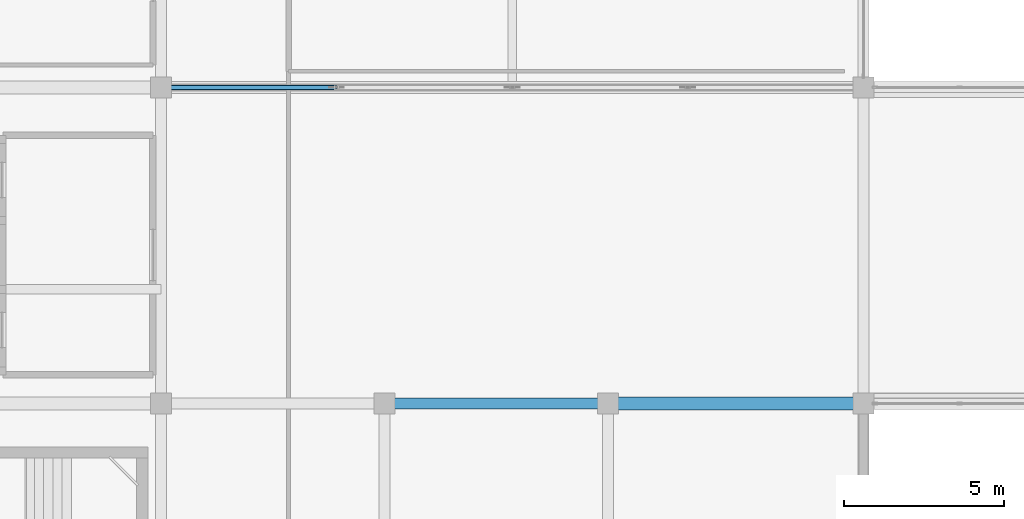
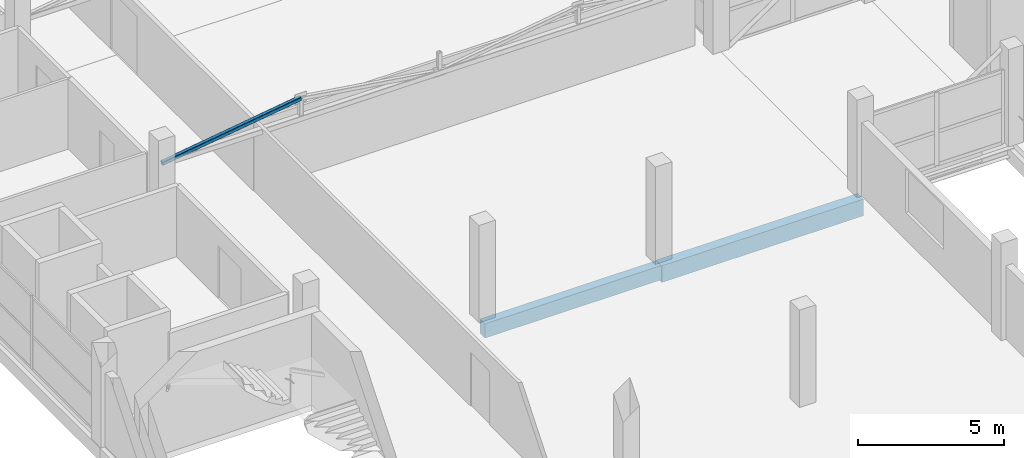
# One storey, part 9 of 53: 2 beams, 1 member.
"""IFC4 building model written with IfcOpenShell, lengths in metres."""

from ifc_helpers import new_model, si_unit, direction, frame, origin, origin_2d, place, context, subcontext, project, spatial, rectangle, hollow_rectangle, extrude, material, material_profile, profile_set, type_object, element, save


model = new_model("IFC4")

# Units and contexts
model_context = context("Model", 3, precision=1e-05, world=origin(), true_north=direction((0.0, 1.0)))
body_context = subcontext(model_context, "Body", "Model", "MODEL_VIEW")
ifc_project = project(units=[si_unit("LENGTHUNIT", "METRE"), si_unit("AREAUNIT", "SQUARE_METRE"), si_unit("VOLUMEUNIT", "CUBIC_METRE"), si_unit("PLANEANGLEUNIT", "RADIAN"), si_unit("MASSUNIT", "GRAM", prefix="KILO")], contexts=[model_context])

# Site, building, storey
site_placement = place(None, origin())
site = spatial("IfcSite", under=ifc_project, at=site_placement, CompositionType="ELEMENT")
building_placement = place(site_placement, origin())
building = spatial("IfcBuilding", under=site, at=building_placement, Name="Sillaruma Civic Art Gallery", CompositionType="ELEMENT")
storey_placement = place(building_placement, frame((0.0, 0.0, 70.3798828125)))
storey = spatial("IfcBuildingStorey", under=building, at=storey_placement, Name="L14", CompositionType="ELEMENT", Elevation=70.3798828125)

# Beams
ifc_material_1 = material(Name="Concrete H35 (35 MPa)", Category="concrete")
ifc_material_profile_1 = material_profile(ifc_material_1, rectangle(XDim=0.35009765625, YDim=0.60009765625, at=origin_2d()), Name="RCB350x600")
ifc_profile_set_1 = profile_set([ifc_material_profile_1], Name="Concrete H35 (35 MPa)")
beam_type_1 = type_object("IfcBeamType", Name="BM-BEAM-RCB350x600", PredefinedType="BEAM", material=ifc_profile_set_1)
beam_1_placement = place(storey_placement, frame((77.0, 39.60009765625, -0.5498046875), z_axis=(1.0, 0.0, 0.0), x_axis=(0.0, 1.0, 0.0)))
element("IfcBeam", 1, at=beam_1_placement, inside=storey, type_object=beam_type_1, Name="Beam BM-06 (L13:5:H-J)", PredefinedType="BEAM", context=body_context, shape_type="SweptSolid", body=[
    extrude(rectangle(XDim=0.35009765625, YDim=0.60009765625, at=origin_2d()), origin(), (0.0, 0.0, 1.0), 7.0),
])
ifc_material_profile_2 = material_profile(ifc_material_1, rectangle(XDim=0.39990234375, YDim=0.699951171875, at=origin_2d()), Name="RCB400x700")
ifc_profile_set_2 = profile_set([ifc_material_profile_2], Name="Concrete H35 (35 MPa)")
beam_type_2 = type_object("IfcBeamType", Name="BM-BEAM-RCB400x700", PredefinedType="BEAM", material=ifc_profile_set_2)
beam_2_placement = place(storey_placement, frame((84.0, 39.60009765625, -0.599853515625), z_axis=(1.0, 0.0, 0.0), x_axis=(0.0, 1.0, 0.0)))
element("IfcBeam", 2, at=beam_2_placement, inside=storey, type_object=beam_type_2, Name="Beam BM-04 (L13:5:J-K)", PredefinedType="BEAM", context=body_context, shape_type="SweptSolid", body=[
    extrude(rectangle(XDim=0.39990234375, YDim=0.699951171875, at=origin_2d()), origin(), (0.0, 0.0, 1.0), 8.0),
])

# Member
ifc_material_2 = material(Name="Structural Steel ASTM A500 Gr.C", Category="steel")
ifc_material_profile_3 = material_profile(ifc_material_2, hollow_rectangle(XDim=0.14990234375, YDim=0.14990234375, WallThickness=0.010009765625, InnerFilletRadius=0.010009765625, OuterFilletRadius=0.02001953125, at=origin_2d()), Name="HSS150x150x10")
ifc_profile_set_3 = profile_set([ifc_material_profile_3], Name="Structural Steel ASTM A500 Gr.C")
member_type = type_object("IfcMemberType", Name="MEM-BRACE-HSS150x150x10", PredefinedType="BRACE", material=ifc_profile_set_3)
member_placement = place(storey_placement, frame((70.0, 49.5, 2.840087890625), z_axis=(0.989377720719, 0.0, 0.145367553959), x_axis=(0.0, 1.0, 0.0)))
element("IfcMember", 3, at=member_placement, inside=storey, type_object=member_type, Name="Warren Truss Diagonal TR-L14-1-D1", PredefinedType="BRACE", context=body_context, shape_type="SweptSolid", body=[
    extrude(hollow_rectangle(XDim=0.14990234375, YDim=0.14990234375, WallThickness=0.010009765625, InnerFilletRadius=0.010009765625, OuterFilletRadius=0.02001953125, at=origin_2d()), origin(), (0.0, 0.0, 1.0), 5.55908203125),
])

save(model, "model.ifc")
